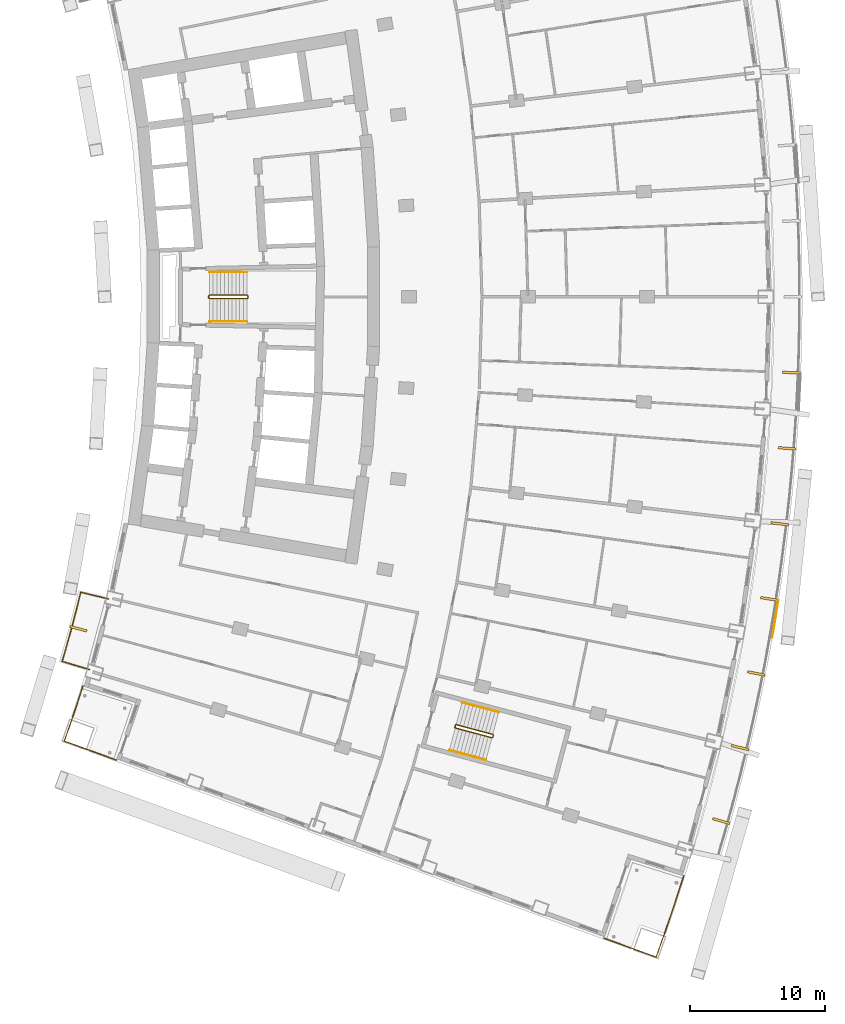
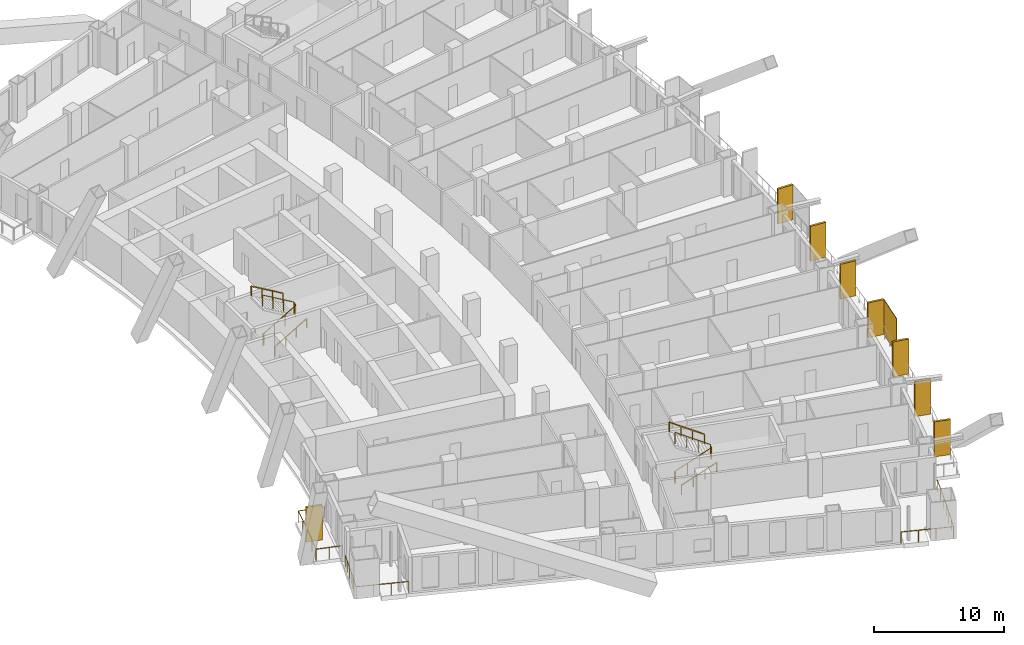
# One storey, part 23 of 25: 9 railings, 9 shading devices.
"""IFC4 building model written with IfcOpenShell, lengths in metres."""

from ifc_helpers import new_model, si_unit, direction, frame, origin, origin_with_axes, origin_2d, place, context, subcontext, project, spatial, rectangle, extrude, material, layer, layer_set, type_object, element, save


model = new_model("IFC4")

# Units and contexts
model_context = context("Model", 3, precision=1e-05, world=origin(), true_north=direction((0.0, 1.0)))
body_context = subcontext(model_context, "Body", "Model", "MODEL_VIEW")
ifc_project = project(units=[si_unit("LENGTHUNIT", "METRE"), si_unit("AREAUNIT", "SQUARE_METRE"), si_unit("VOLUMEUNIT", "CUBIC_METRE"), si_unit("PLANEANGLEUNIT", "RADIAN"), si_unit("MASSUNIT", "GRAM", prefix="KILO")], contexts=[model_context])

# Site, building, storey
site_placement = place(None, origin())
site = spatial("IfcSite", under=ifc_project, at=site_placement, CompositionType="ELEMENT")
building_placement = place(site_placement, origin())
building = spatial("IfcBuilding", under=site, at=building_placement, Name="Alderwake Tower", CompositionType="ELEMENT")
storey_placement = place(building_placement, frame((0.0, 0.0, 64.39990234375)))
storey = spatial("IfcBuildingStorey", under=building, at=storey_placement, Name="L15", CompositionType="ELEMENT", Elevation=64.39990234375)

# Railings
ifc_material_1 = material(Name="Stainless steel 316 rail and posts", Category="steel")
railing_type_1 = type_object("IfcRailingType", Name="Balcony guard 1100", PredefinedType="GUARDRAIL", material=ifc_material_1)
railing_1_placement = place(storey_placement, frame((12.16650390625, 33.435791015625, 0.0)))
element("IfcRailing", 1, at=railing_1_placement, inside=storey, type_object=railing_type_1, Name="Guard BR02", PredefinedType="GUARDRAIL", context=body_context, shape_type="SweptSolid", body=[
    extrude(rectangle(XDim=0.048095703125, YDim=0.048095703125, at=origin_2d()), frame((0.0, 0.0, 1.076171875), z_axis=(-0.958091458885, 0.286462486918, 0.0), x_axis=(-0.286462486918, -0.958091458885, 0.0)), (0.0, 0.0, 1.0), 2.099853515625),
    extrude(rectangle(XDim=0.048095703125, YDim=0.048095703125, at=origin_2d()), frame((-2.011962890625, 0.6015625, 1.076171875), z_axis=(0.279963157487, 0.960010744966, 0.0), x_axis=(-0.960010744966, 0.279963157487, 0.0)), (0.0, 0.0, 1.0), 1.272216796875),
    extrude(rectangle(XDim=0.048095703125, YDim=0.048095703125, at=origin_2d()), frame((-1.65576171875, 1.822998046875, 1.076171875), z_axis=(0.266487604617, 0.963838345671, 0.0), x_axis=(-0.963838345671, 0.266487604617, 0.0)), (0.0, 0.0, 1.0), 1.372314453125),
    extrude(rectangle(XDim=0.048095703125, YDim=0.048095703125, at=origin_2d()), frame((-1.2900390625, 3.145751953125, 1.076171875), z_axis=(0.252487086228, 0.967600264204, 0.0), x_axis=(-0.967600264204, 0.252487086228, 0.0)), (0.0, 0.0, 1.0), 1.3720703125),
    extrude(rectangle(XDim=0.048095703125, YDim=0.048095703125, at=origin_2d()), frame((-0.943603515625, 4.473388671875, 1.076171875), z_axis=(0.238877101641, 0.971049808358, 0.0), x_axis=(-0.971049808358, 0.238877101641, 0.0)), (0.0, 0.0, 1.0), 1.2724609375),
    extrude(rectangle(XDim=0.048095703125, YDim=0.048095703125, at=origin_2d()), frame((-0.6396484375, 5.708984375, 1.076171875), z_axis=(0.972646310656, -0.232291098337, 0.0), x_axis=(0.232291098337, 0.972646310656, 0.0)), (0.0, 0.0, 1.0), 2.099853515625),
    extrude(rectangle(XDim=0.0419921875, YDim=0.0419921875, at=origin_2d()), frame((0.0, 0.0, 0.0), z_axis=(0.0, 0.0, 1.0), x_axis=(-0.958091458885, 0.286462486918, 0.0)), (0.0, 0.0, 1.0), 1.052001953125),
    extrude(rectangle(XDim=0.0419921875, YDim=0.0419921875, at=origin_2d()), frame((-1.005859375, 0.30078125, 0.0), z_axis=(0.0, 0.0, 1.0), x_axis=(-0.958091458885, 0.286462486918, 0.0)), (0.0, 0.0, 1.0), 1.052001953125),
    extrude(rectangle(XDim=0.0419921875, YDim=0.0419921875, at=origin_2d()), frame((-2.011962890625, 0.6015625, 0.0), z_axis=(0.0, 0.0, 1.0), x_axis=(0.279963157487, 0.960010744966, 0.0)), (0.0, 0.0, 1.0), 1.052001953125),
    extrude(rectangle(XDim=0.0419921875, YDim=0.0419921875, at=origin_2d()), frame((-1.65576171875, 1.822998046875, 0.0), z_axis=(0.0, 0.0, 1.0), x_axis=(0.266487604617, 0.963838345671, 0.0)), (0.0, 0.0, 1.0), 1.052001953125),
    extrude(rectangle(XDim=0.0419921875, YDim=0.0419921875, at=origin_2d()), frame((-1.2900390625, 3.145751953125, 0.0), z_axis=(0.0, 0.0, 1.0), x_axis=(0.252487086228, 0.967600264204, 0.0)), (0.0, 0.0, 1.0), 1.052001953125),
    extrude(rectangle(XDim=0.0419921875, YDim=0.0419921875, at=origin_2d()), frame((-0.943603515625, 4.473388671875, 0.0), z_axis=(0.0, 0.0, 1.0), x_axis=(0.238877101641, 0.971049808358, 0.0)), (0.0, 0.0, 1.0), 1.052001953125),
    extrude(rectangle(XDim=0.0419921875, YDim=0.0419921875, at=origin_2d()), frame((-0.6396484375, 5.708984375, 0.0), z_axis=(0.0, 0.0, 1.0), x_axis=(0.972646310656, -0.232291098337, 0.0)), (0.0, 0.0, 1.0), 1.052001953125),
    extrude(rectangle(XDim=0.0419921875, YDim=0.0419921875, at=origin_2d()), frame((0.381591796875, 5.465087890625, 0.0), z_axis=(0.0, 0.0, 1.0), x_axis=(0.972646310656, -0.232291098337, 0.0)), (0.0, 0.0, 1.0), 1.052001953125),
    extrude(rectangle(XDim=0.0419921875, YDim=0.0419921875, at=origin_2d()), frame((1.40283203125, 5.22119140625, 0.0), z_axis=(0.0, 0.0, 1.0), x_axis=(0.972646310656, -0.232291098337, 0.0)), (0.0, 0.0, 1.0), 1.052001953125),
])
railing_2_placement = place(storey_placement, frame((56.12060546875, 18.168701171875, 0.0)))
element("IfcRailing", 2, at=railing_2_placement, inside=storey, type_object=railing_type_1, Name="Guard terrace FS", PredefinedType="GUARDRAIL", context=body_context, shape_type="SweptSolid", body=[
    extrude(rectangle(XDim=0.048095703125, YDim=0.048095703125, at=origin_2d()), frame((0.0, 0.0, 1.076171875), z_axis=(-0.307834534449, -0.951439908455, 0.0), x_axis=(0.951439908455, -0.307834534449, 0.0)), (0.0, 0.0, 1.0), 2.281005859375),
    extrude(rectangle(XDim=0.048095703125, YDim=0.048095703125, at=origin_2d()), frame((-0.7021484375, -2.170166015625, 1.076171875), z_axis=(-0.322274982341, -0.946646098475, 0.0), x_axis=(0.946646098475, -0.322274982341, 0.0)), (0.0, 0.0, 1.0), 2.0810546875),
    extrude(rectangle(XDim=0.048095703125, YDim=0.048095703125, at=origin_2d()), frame((-1.372802734375, -4.14013671875, 1.076171875), z_axis=(-0.335680571726, -0.941975877486, 0.0), x_axis=(0.941975877486, -0.335680571726, 0.0)), (0.0, 0.0, 1.0), 1.981201171875),
    extrude(rectangle(XDim=0.048095703125, YDim=0.048095703125, at=origin_2d()), frame((-2.037841796875, -6.00634765625, 1.076171875), z_axis=(-0.939605522223, 0.34225934992, 0.0), x_axis=(-0.34225934992, -0.939605522223, 0.0)), (0.0, 0.0, 1.0), 4.10009765625),
    extrude(rectangle(XDim=0.0419921875, YDim=0.0419921875, at=origin_2d()), frame((0.0, 0.0, 0.0), z_axis=(0.0, 0.0, 1.0), x_axis=(-0.307834534449, -0.951439908455, 0.0)), (0.0, 0.0, 1.0), 1.052001953125),
    extrude(rectangle(XDim=0.0419921875, YDim=0.0419921875, at=origin_2d()), frame((-0.35107421875, -1.0849609375, 0.0), z_axis=(0.0, 0.0, 1.0), x_axis=(-0.307834534449, -0.951439908455, 0.0)), (0.0, 0.0, 1.0), 1.052001953125),
    extrude(rectangle(XDim=0.0419921875, YDim=0.0419921875, at=origin_2d()), frame((-0.7021484375, -2.170166015625, 0.0), z_axis=(0.0, 0.0, 1.0), x_axis=(-0.322274982341, -0.946646098475, 0.0)), (0.0, 0.0, 1.0), 1.052001953125),
    extrude(rectangle(XDim=0.0419921875, YDim=0.0419921875, at=origin_2d()), frame((-1.03759765625, -3.1552734375, 0.0), z_axis=(0.0, 0.0, 1.0), x_axis=(-0.322274982341, -0.946646098475, 0.0)), (0.0, 0.0, 1.0), 1.052001953125),
    extrude(rectangle(XDim=0.0419921875, YDim=0.0419921875, at=origin_2d()), frame((-1.372802734375, -4.14013671875, 0.0), z_axis=(0.0, 0.0, 1.0), x_axis=(-0.335680571726, -0.941975877486, 0.0)), (0.0, 0.0, 1.0), 1.052001953125),
    extrude(rectangle(XDim=0.0419921875, YDim=0.0419921875, at=origin_2d()), frame((-1.705322265625, -5.0732421875, 0.0), z_axis=(0.0, 0.0, 1.0), x_axis=(-0.335680571726, -0.941975877486, 0.0)), (0.0, 0.0, 1.0), 1.052001953125),
    extrude(rectangle(XDim=0.0419921875, YDim=0.0419921875, at=origin_2d()), frame((-2.037841796875, -6.00634765625, 0.0), z_axis=(0.0, 0.0, 1.0), x_axis=(-0.939605522223, 0.34225934992, 0.0)), (0.0, 0.0, 1.0), 1.052001953125),
    extrude(rectangle(XDim=0.0419921875, YDim=0.0419921875, at=origin_2d()), frame((-3.322021484375, -5.53857421875, 0.0), z_axis=(0.0, 0.0, 1.0), x_axis=(-0.939605522223, 0.34225934992, 0.0)), (0.0, 0.0, 1.0), 1.052001953125),
    extrude(rectangle(XDim=0.0419921875, YDim=0.0419921875, at=origin_2d()), frame((-4.606201171875, -5.07080078125, 0.0), z_axis=(0.0, 0.0, 1.0), x_axis=(-0.939605522223, 0.34225934992, 0.0)), (0.0, 0.0, 1.0), 1.052001953125),
    extrude(rectangle(XDim=0.0419921875, YDim=0.0419921875, at=origin_2d()), frame((-5.890380859375, -4.60302734375, 0.0), z_axis=(0.0, 0.0, 1.0), x_axis=(-0.939605522223, 0.34225934992, 0.0)), (0.0, 0.0, 1.0), 1.052001953125),
])
railing_3_placement = place(storey_placement, frame((11.688720703125, 32.218017578125, 0.0)))
element("IfcRailing", 3, at=railing_3_placement, inside=storey, type_object=railing_type_1, Name="Guard terrace RS", PredefinedType="GUARDRAIL", context=body_context, shape_type="SweptSolid", body=[
    extrude(rectangle(XDim=0.048095703125, YDim=0.048095703125, at=origin_2d()), frame((0.0, 0.0, 1.076171875), z_axis=(-0.307479326145, -0.951554761426, 0.0), x_axis=(0.951554761426, -0.307479326145, 0.0)), (0.0, 0.0, 1.0), 1.6015625),
    extrude(rectangle(XDim=0.048095703125, YDim=0.048095703125, at=origin_2d()), frame((-0.492431640625, -1.52392578125, 1.076171875), z_axis=(-0.322283727344, -0.946643121292, 0.0), x_axis=(0.946643121292, -0.322283727344, 0.0)), (0.0, 0.0, 1.0), 1.4013671875),
    extrude(rectangle(XDim=0.048095703125, YDim=0.048095703125, at=origin_2d()), frame((-0.944091796875, -2.8505859375, 1.076171875), z_axis=(-0.335468607403, -0.942051385778, 0.0), x_axis=(0.942051385778, -0.335468607403, 0.0)), (0.0, 0.0, 1.0), 1.30126953125),
    extrude(rectangle(XDim=0.048095703125, YDim=0.048095703125, at=origin_2d()), frame((-1.380615234375, -4.076416015625, 1.076171875), z_axis=(0.939708203232, -0.341977327873, 0.0), x_axis=(0.341977327873, 0.939708203232, 0.0)), (0.0, 0.0, 1.0), 4.10009765625),
    extrude(rectangle(XDim=0.0419921875, YDim=0.0419921875, at=origin_2d()), frame((0.0, 0.0, 0.0), z_axis=(0.0, 0.0, 1.0), x_axis=(-0.307479326145, -0.951554761426, 0.0)), (0.0, 0.0, 1.0), 1.052001953125),
    extrude(rectangle(XDim=0.0419921875, YDim=0.0419921875, at=origin_2d()), frame((-0.24609375, -0.761962890625, 0.0), z_axis=(0.0, 0.0, 1.0), x_axis=(-0.307479326145, -0.951554761426, 0.0)), (0.0, 0.0, 1.0), 1.052001953125),
    extrude(rectangle(XDim=0.0419921875, YDim=0.0419921875, at=origin_2d()), frame((-0.492431640625, -1.52392578125, 0.0), z_axis=(0.0, 0.0, 1.0), x_axis=(-0.322283727344, -0.946643121292, 0.0)), (0.0, 0.0, 1.0), 1.052001953125),
    extrude(rectangle(XDim=0.0419921875, YDim=0.0419921875, at=origin_2d()), frame((-0.71826171875, -2.187255859375, 0.0), z_axis=(0.0, 0.0, 1.0), x_axis=(-0.322283727344, -0.946643121292, 0.0)), (0.0, 0.0, 1.0), 1.052001953125),
    extrude(rectangle(XDim=0.0419921875, YDim=0.0419921875, at=origin_2d()), frame((-0.944091796875, -2.8505859375, 0.0), z_axis=(0.0, 0.0, 1.0), x_axis=(-0.335468607403, -0.942051385778, 0.0)), (0.0, 0.0, 1.0), 1.052001953125),
    extrude(rectangle(XDim=0.0419921875, YDim=0.0419921875, at=origin_2d()), frame((-1.380615234375, -4.076416015625, 0.0), z_axis=(0.0, 0.0, 1.0), x_axis=(0.939708203232, -0.341977327873, 0.0)), (0.0, 0.0, 1.0), 1.052001953125),
    extrude(rectangle(XDim=0.0419921875, YDim=0.0419921875, at=origin_2d()), frame((-0.096435546875, -4.543701171875, 0.0), z_axis=(0.0, 0.0, 1.0), x_axis=(0.939708203232, -0.341977327873, 0.0)), (0.0, 0.0, 1.0), 1.052001953125),
    extrude(rectangle(XDim=0.0419921875, YDim=0.0419921875, at=origin_2d()), frame((1.18798828125, -5.01123046875, 0.0), z_axis=(0.0, 0.0, 1.0), x_axis=(0.939708203232, -0.341977327873, 0.0)), (0.0, 0.0, 1.0), 1.052001953125),
    extrude(rectangle(XDim=0.0419921875, YDim=0.0419921875, at=origin_2d()), frame((2.47216796875, -5.478515625, 0.0), z_axis=(0.0, 0.0, 1.0), x_axis=(0.939708203232, -0.341977327873, 0.0)), (0.0, 0.0, 1.0), 1.052001953125),
])

# Shading devices
ifc_material_2 = material(Name="Bronze anodised aluminium", Category="aluminium")
ifc_layer_1 = layer(ifc_material_2, 0.179931640625)
ifc_layer_set_1 = layer_set([ifc_layer_1], Name="Facade fin 1300")
shading_device_type_1 = type_object("IfcShadingDeviceType", Name="Facade fin 1300", PredefinedType="USERDEFINED", material=ifc_layer_set_1)
for number, where, z_axis, x_axis, name in (
    (4, (58.890869140625, 22.231689453125, 0.0), (0.0, 0.0, 1.0), (0.96318180783, -0.268850897459, 0.0), "Fin"),
    (5, (60.29345703125, 27.66259765625, 0.0), (0.0, 0.0, 1.0), (0.972908790564, -0.231189284448, 0.0), "Fin"),
    (6, (61.48388671875, 33.143798828125, 0.0), (0.0, 0.0, 1.0), (0.981163751315, -0.193177879441, 0.0), "Fin"),
    (7, (62.4580078125, 38.65283203125, 0.0), (0.0, 0.0, 1.0), (0.987918787879, -0.154972476771, 0.0), "Fin"),
    (8, (63.21923828125, 44.2099609375, 0.0), (0.0, 0.0, 1.0), (0.993198315083, -0.116434990084, 0.0), "Fin"),
    (9, (63.763916015625, 49.79248046875, 0.0), (0.0, 0.0, 1.0), (0.996975122026, -0.077721335943, 0.0), "Fin"),
    (10, (64.0908203125, 55.39208984375, 0.0), (0.0, 0.0, 1.0), (0.999243494356, -0.038890088543, 0.0), "Fin"),
    (11, (11.359375, 36.45166015625, 0.0), (0.0, 0.0, 1.0), (0.965744448231, -0.259495010957, 0.0), "Fin"),
):
    element("IfcShadingDevice", number, at=place(storey_placement, frame(where, z_axis=z_axis, x_axis=x_axis)), inside=storey, type_object=shading_device_type_1, Name=name, ObjectType="FIN", PredefinedType="USERDEFINED", context=body_context, shape_type="SweptSolid", body=[
        extrude(rectangle(XDim=1.300048828125, YDim=0.179931640625, at=origin_2d()), origin(), (0.0, 0.0, 1.0), 3.280029296875),
    ])
ifc_material_3 = material(Name="Perforated bronze anodised aluminium", Category="aluminium")
ifc_layer_2 = layer(ifc_material_3, 0.050048828125)
ifc_layer_set_2 = layer_set([ifc_layer_2], Name="Perforated screen panel")
shading_device_type_2 = type_object("IfcShadingDeviceType", Name="Perforated screen panel", PredefinedType="USERDEFINED", material=ifc_layer_set_2)
shading_device_placement = place(storey_placement, frame((62.8935546875, 37.162109375, 0.0), z_axis=(0.0, 0.0, 1.0), x_axis=(0.986369013299, -0.164548380739, 0.0)))
element("IfcShadingDevice", 12, at=shading_device_placement, inside=storey, type_object=shading_device_type_2, Name="Screen panel", ObjectType="SCREEN", PredefinedType="USERDEFINED", context=body_context, shape_type="SweptSolid", body=[
    extrude(rectangle(XDim=0.050048828125, YDim=2.810546875, at=origin_2d()), origin(), (0.0, 0.0, 1.0), 3.280029296875),
])

# Railings
ifc_material_4 = material(Name="Stainless steel guard", Category="steel")
railing_type_2 = type_object("IfcRailingType", Name="Stair guard 1100", PredefinedType="GUARDRAIL", material=ifc_material_4)
railing_4_placement = place(storey_placement, frame((20.989990234375, 60.925048828125, 0.0)))
element("IfcRailing", 13, at=railing_4_placement, inside=storey, type_object=railing_type_2, Name="L15 ST-B stair guard 1", PredefinedType="GUARDRAIL", context=body_context, shape_type="SweptSolid", body=[
    extrude(rectangle(XDim=0.048095703125, YDim=0.048095703125, at=origin_2d()), frame((0.0, 0.0, 1.076171875), z_axis=(0.0, 1.0, 0.0), x_axis=(-1.0, 0.0, 0.0)), (0.0, 0.0, 1.0), 0.14990234375),
    extrude(rectangle(XDim=0.048095703125, YDim=0.048095703125, at=origin_2d()), frame((0.0, 0.14990234375, 1.076171875), z_axis=(0.190089865108, -0.759432192796, 0.622196582865), x_axis=(0.970072785993, 0.242814311512, 0.0)), (0.0, 0.0, 1.0), 0.26318359375),
    extrude(rectangle(XDim=0.048095703125, YDim=0.048095703125, at=origin_2d()), frame((0.050048828125, -0.050048828125, 1.23974609375), z_axis=(0.863393664356, 0.0, 0.504530851732), x_axis=(0.0, 1.0, 0.0)), (0.0, 0.0, 1.0), 3.2431640625),
    extrude(rectangle(XDim=0.048095703125, YDim=0.048095703125, at=origin_2d()), frame((2.85009765625, -0.050048828125, 2.8759765625), z_axis=(0.705375805398, 0.708833529934, 0.0), x_axis=(-0.708833529934, 0.705375805398, 0.0)), (0.0, 0.0, 1.0), 0.070556640625),
    extrude(rectangle(XDim=0.048095703125, YDim=0.048095703125, at=origin_2d()), frame((2.89990234375, 0.0, 2.8759765625), z_axis=(0.0, 1.0, 0.0), x_axis=(-1.0, 0.0, 0.0)), (0.0, 0.0, 1.0), 0.14990234375),
    extrude(rectangle(XDim=0.048095703125, YDim=0.048095703125, at=origin_2d()), frame((2.89990234375, 0.14990234375, 2.8759765625), z_axis=(-0.279546231943, 0.280916556609, 0.91811752648), x_axis=(-0.708833529934, -0.705375805398, 0.0)), (0.0, 0.0, 1.0), 0.17822265625),
    extrude(rectangle(XDim=0.048095703125, YDim=0.048095703125, at=origin_2d()), frame((2.85009765625, 0.199951171875, 3.03955078125), z_axis=(-0.863360870873, 0.0, 0.504586966384), x_axis=(0.0, -1.0, 0.0)), (0.0, 0.0, 1.0), 3.2431640625),
    extrude(rectangle(XDim=0.0419921875, YDim=0.0419921875, at=origin_2d()), frame((0.0, 0.0, 0.0), z_axis=(0.0, 0.0, 1.0), x_axis=(0.0, 1.0, 0.0)), (0.0, 0.0, 1.0), 1.052001953125),
    extrude(rectangle(XDim=0.0419921875, YDim=0.0419921875, at=origin_2d()), frame((0.0, 0.14990234375, 0.0), z_axis=(0.0, 0.0, 1.0), x_axis=(0.242814311512, -0.970072785993, 0.0)), (0.0, 0.0, 1.0), 1.052001953125),
    extrude(rectangle(XDim=0.0419921875, YDim=0.0419921875, at=origin_2d()), frame((0.050048828125, -0.050048828125, 0.163818359375), z_axis=(0.0, 0.0, 1.0), x_axis=(1.0, 0.0, 0.0)), (0.0, 0.0, 1.0), 1.052001953125),
    extrude(rectangle(XDim=0.0419921875, YDim=0.0419921875, at=origin_2d()), frame((0.9833984375, -0.050048828125, 0.709228515625), z_axis=(0.0, 0.0, 1.0), x_axis=(1.0, 0.0, 0.0)), (0.0, 0.0, 1.0), 1.052001953125),
    extrude(rectangle(XDim=0.0419921875, YDim=0.0419921875, at=origin_2d()), frame((1.916748046875, -0.050048828125, 1.254638671875), z_axis=(0.0, 0.0, 1.0), x_axis=(1.0, 0.0, 0.0)), (0.0, 0.0, 1.0), 1.052001953125),
    extrude(rectangle(XDim=0.0419921875, YDim=0.0419921875, at=origin_2d()), frame((2.85009765625, -0.050048828125, 1.800048828125), z_axis=(0.0, 0.0, 1.0), x_axis=(0.705375805398, 0.708833529934, 0.0)), (0.0, 0.0, 1.0), 1.052001953125),
    extrude(rectangle(XDim=0.0419921875, YDim=0.0419921875, at=origin_2d()), frame((2.89990234375, 0.0, 1.800048828125), z_axis=(0.0, 0.0, 1.0), x_axis=(0.0, 1.0, 0.0)), (0.0, 0.0, 1.0), 1.052001953125),
    extrude(rectangle(XDim=0.0419921875, YDim=0.0419921875, at=origin_2d()), frame((2.89990234375, 0.14990234375, 1.800048828125), z_axis=(0.0, 0.0, 1.0), x_axis=(-0.705375805398, 0.708833529934, 0.0)), (0.0, 0.0, 1.0), 1.052001953125),
    extrude(rectangle(XDim=0.0419921875, YDim=0.0419921875, at=origin_2d()), frame((2.85009765625, 0.199951171875, 1.963623046875), z_axis=(0.0, 0.0, 1.0), x_axis=(-1.0, 0.0, 0.0)), (0.0, 0.0, 1.0), 1.052001953125),
    extrude(rectangle(XDim=0.0419921875, YDim=0.0419921875, at=origin_2d()), frame((1.916748046875, 0.199951171875, 2.509033203125), z_axis=(0.0, 0.0, 1.0), x_axis=(-1.0, 0.0, 0.0)), (0.0, 0.0, 1.0), 1.052001953125),
    extrude(rectangle(XDim=0.0419921875, YDim=0.0419921875, at=origin_2d()), frame((0.9833984375, 0.199951171875, 3.0546875), z_axis=(0.0, 0.0, 1.0), x_axis=(-1.0, 0.0, 0.0)), (0.0, 0.0, 1.0), 1.052001953125),
    extrude(rectangle(XDim=0.0419921875, YDim=0.0419921875, at=origin_2d()), frame((0.050048828125, 0.199951171875, 3.60009765625), z_axis=(0.0, 0.0, 1.0), x_axis=(-1.0, 0.0, 0.0)), (0.0, 0.0, 1.0), 1.052001953125),
])
railing_5_placement = place(storey_placement, frame((39.1943359375, 29.17431640625, 0.0)))
element("IfcRailing", 14, at=railing_5_placement, inside=storey, type_object=railing_type_2, Name="L15 ST-C stair guard 1", PredefinedType="GUARDRAIL", context=body_context, shape_type="SweptSolid", body=[
    extrude(rectangle(XDim=0.048095703125, YDim=0.048095703125, at=origin_2d()), frame((0.0, 0.0, 1.076171875), z_axis=(0.257459803502, 0.966289009345, 0.0), x_axis=(-0.966289009345, 0.257459803502, 0.0)), (0.0, 0.0, 1.0), 0.14990234375),
    extrude(rectangle(XDim=0.048095703125, YDim=0.048095703125, at=origin_2d()), frame((0.03857421875, 0.144775390625, 1.076171875), z_axis=(-0.012055935761, -0.782708444821, 0.622271761226), x_axis=(0.999881397308, -0.015401016783, 0.0)), (0.0, 0.0, 1.0), 0.26318359375),
    extrude(rectangle(XDim=0.048095703125, YDim=0.048095703125, at=origin_2d()), frame((0.035400390625, -0.061279296875, 1.23974609375), z_axis=(0.834313512087, -0.222222637163, 0.504517653885), x_axis=(0.257380452725, 0.966310148221, 0.0)), (0.0, 0.0, 1.0), 3.2431640625),
    extrude(rectangle(XDim=0.048095703125, YDim=0.048095703125, at=origin_2d()), frame((2.7412109375, -0.781982421875, 2.8759765625), z_axis=(0.865031189262, 0.501718089772, 0.0), x_axis=(-0.501718089772, 0.865031189262, 0.0)), (0.0, 0.0, 1.0), 0.070556640625),
    extrude(rectangle(XDim=0.048095703125, YDim=0.048095703125, at=origin_2d()), frame((2.80224609375, -0.74658203125, 2.8759765625), z_axis=(0.257055032184, 0.966396766566, 0.0), x_axis=(-0.966396766566, 0.257055032184, 0.0)), (0.0, 0.0, 1.0), 0.150146484375),
    extrude(rectangle(XDim=0.048095703125, YDim=0.048095703125, at=origin_2d()), frame((2.8408203125, -0.6015625, 2.8759765625), z_axis=(-0.198625291617, 0.343827228937, 0.91778583023), x_axis=(-0.865898279276, -0.500220121494, 0.0)), (0.0, 0.0, 1.0), 0.17822265625),
    extrude(rectangle(XDim=0.048095703125, YDim=0.048095703125, at=origin_2d()), frame((2.805419921875, -0.540283203125, 3.03955078125), z_axis=(-0.834258940753, 0.22222815314, 0.504605457487), x_axis=(-0.257402139082, -0.966304371715, 0.0)), (0.0, 0.0, 1.0), 3.2431640625),
    extrude(rectangle(XDim=0.0419921875, YDim=0.0419921875, at=origin_2d()), frame((0.0, 0.0, 0.0), z_axis=(0.0, 0.0, 1.0), x_axis=(0.257459803502, 0.966289009345, 0.0)), (0.0, 0.0, 1.0), 1.052001953125),
    extrude(rectangle(XDim=0.0419921875, YDim=0.0419921875, at=origin_2d()), frame((0.03857421875, 0.144775390625, 0.0), z_axis=(0.0, 0.0, 1.0), x_axis=(-0.015401016783, -0.999881397308, 0.0)), (0.0, 0.0, 1.0), 1.052001953125),
    extrude(rectangle(XDim=0.0419921875, YDim=0.0419921875, at=origin_2d()), frame((0.035400390625, -0.061279296875, 0.163818359375), z_axis=(0.0, 0.0, 1.0), x_axis=(0.966310148221, -0.257380452725, 0.0)), (0.0, 0.0, 1.0), 1.052001953125),
    extrude(rectangle(XDim=0.0419921875, YDim=0.0419921875, at=origin_2d()), frame((0.937255859375, -0.301513671875, 0.709228515625), z_axis=(0.0, 0.0, 1.0), x_axis=(0.966310148221, -0.257380452725, 0.0)), (0.0, 0.0, 1.0), 1.052001953125),
    extrude(rectangle(XDim=0.0419921875, YDim=0.0419921875, at=origin_2d()), frame((1.83935546875, -0.541748046875, 1.254638671875), z_axis=(0.0, 0.0, 1.0), x_axis=(0.966310148221, -0.257380452725, 0.0)), (0.0, 0.0, 1.0), 1.052001953125),
    extrude(rectangle(XDim=0.0419921875, YDim=0.0419921875, at=origin_2d()), frame((2.7412109375, -0.781982421875, 1.800048828125), z_axis=(0.0, 0.0, 1.0), x_axis=(0.865031189262, 0.501718089772, 0.0)), (0.0, 0.0, 1.0), 1.052001953125),
    extrude(rectangle(XDim=0.0419921875, YDim=0.0419921875, at=origin_2d()), frame((2.80224609375, -0.74658203125, 1.800048828125), z_axis=(0.0, 0.0, 1.0), x_axis=(0.257055032184, 0.966396766566, 0.0)), (0.0, 0.0, 1.0), 1.052001953125),
    extrude(rectangle(XDim=0.0419921875, YDim=0.0419921875, at=origin_2d()), frame((2.8408203125, -0.6015625, 1.800048828125), z_axis=(0.0, 0.0, 1.0), x_axis=(-0.500220121494, 0.865898279276, 0.0)), (0.0, 0.0, 1.0), 1.052001953125),
    extrude(rectangle(XDim=0.0419921875, YDim=0.0419921875, at=origin_2d()), frame((2.805419921875, -0.540283203125, 1.963623046875), z_axis=(0.0, 0.0, 1.0), x_axis=(-0.966304371715, 0.257402139082, 0.0)), (0.0, 0.0, 1.0), 1.052001953125),
    extrude(rectangle(XDim=0.0419921875, YDim=0.0419921875, at=origin_2d()), frame((1.903564453125, -0.300048828125, 2.509033203125), z_axis=(0.0, 0.0, 1.0), x_axis=(-0.966304371715, 0.257402139082, 0.0)), (0.0, 0.0, 1.0), 1.052001953125),
    extrude(rectangle(XDim=0.0419921875, YDim=0.0419921875, at=origin_2d()), frame((1.001708984375, -0.059814453125, 3.0546875), z_axis=(0.0, 0.0, 1.0), x_axis=(-0.966304371715, 0.257402139082, 0.0)), (0.0, 0.0, 1.0), 1.052001953125),
    extrude(rectangle(XDim=0.0419921875, YDim=0.0419921875, at=origin_2d()), frame((0.099853515625, 0.180419921875, 3.60009765625), z_axis=(0.0, 0.0, 1.0), x_axis=(-0.966304371715, 0.257402139082, 0.0)), (0.0, 0.0, 1.0), 1.052001953125),
])
ifc_material_5 = material(Name="Stainless steel handrail", Category="steel")
railing_type_3 = type_object("IfcRailingType", Name="Stair handrail 900", PredefinedType="HANDRAIL", material=ifc_material_5)
railing_6_placement = place(storey_placement, frame((21.0400390625, 59.175048828125, 0.163818359375)))
element("IfcRailing", 15, at=railing_6_placement, inside=storey, type_object=railing_type_3, Name="L15 ST-B stair handrail 1", PredefinedType="HANDRAIL", context=body_context, shape_type="SweptSolid", body=[
    extrude(rectangle(XDim=0.048095703125, YDim=0.048095703125, at=origin_2d()), frame((0.0, 0.0, 0.8759765625), z_axis=(0.863393664356, 0.0, 0.504530851732), x_axis=(0.0, 1.0, 0.0)), (0.0, 0.0, 1.0), 3.2431640625),
    extrude(rectangle(XDim=0.0419921875, YDim=0.0419921875, at=origin_2d()), origin_with_axes(), (0.0, 0.0, 1.0), 0.851806640625),
    extrude(rectangle(XDim=0.0419921875, YDim=0.0419921875, at=origin_2d()), frame((0.933349609375, 0.0, 0.54541015625), z_axis=(0.0, 0.0, 1.0), x_axis=(1.0, 0.0, 0.0)), (0.0, 0.0, 1.0), 0.851806640625),
    extrude(rectangle(XDim=0.0419921875, YDim=0.0419921875, at=origin_2d()), frame((1.86669921875, 0.0, 1.0908203125), z_axis=(0.0, 0.0, 1.0), x_axis=(1.0, 0.0, 0.0)), (0.0, 0.0, 1.0), 0.851806640625),
    extrude(rectangle(XDim=0.0419921875, YDim=0.0419921875, at=origin_2d()), frame((2.800048828125, 0.0, 1.63623046875), z_axis=(0.0, 0.0, 1.0), x_axis=(1.0, 0.0, 0.0)), (0.0, 0.0, 1.0), 0.851806640625),
])
railing_7_placement = place(storey_placement, frame((23.840087890625, 62.824951171875, 1.963623046875)))
element("IfcRailing", 16, at=railing_7_placement, inside=storey, type_object=railing_type_3, Name="L15 ST-B stair handrail 2", PredefinedType="HANDRAIL", context=body_context, shape_type="SweptSolid", body=[
    extrude(rectangle(XDim=0.048095703125, YDim=0.048095703125, at=origin_2d()), frame((0.0, 0.0, 0.8759765625), z_axis=(-0.863360870873, 0.0, 0.504586966384), x_axis=(0.0, -1.0, 0.0)), (0.0, 0.0, 1.0), 3.2431640625),
    extrude(rectangle(XDim=0.0419921875, YDim=0.0419921875, at=origin_2d()), frame((0.0, 0.0, 0.0), z_axis=(0.0, 0.0, 1.0), x_axis=(-1.0, 0.0, 0.0)), (0.0, 0.0, 1.0), 0.851806640625),
    extrude(rectangle(XDim=0.0419921875, YDim=0.0419921875, at=origin_2d()), frame((-0.933349609375, 0.0, 0.54541015625), z_axis=(0.0, 0.0, 1.0), x_axis=(-1.0, 0.0, 0.0)), (0.0, 0.0, 1.0), 0.851806640625),
    extrude(rectangle(XDim=0.0419921875, YDim=0.0419921875, at=origin_2d()), frame((-1.86669921875, 0.0, 1.091064453125), z_axis=(0.0, 0.0, 1.0), x_axis=(-1.0, 0.0, 0.0)), (0.0, 0.0, 1.0), 0.851806640625),
    extrude(rectangle(XDim=0.0419921875, YDim=0.0419921875, at=origin_2d()), frame((-2.800048828125, 0.0, 1.636474609375), z_axis=(0.0, 0.0, 1.0), x_axis=(-1.0, 0.0, 0.0)), (0.0, 0.0, 1.0), 0.851806640625),
])
railing_8_placement = place(storey_placement, frame((38.792236328125, 27.47021484375, 0.163818359375)))
element("IfcRailing", 17, at=railing_8_placement, inside=storey, type_object=railing_type_3, Name="L15 ST-C stair handrail 1", PredefinedType="HANDRAIL", context=body_context, shape_type="SweptSolid", body=[
    extrude(rectangle(XDim=0.048095703125, YDim=0.048095703125, at=origin_2d()), frame((0.0, 0.0, 0.8759765625), z_axis=(0.834304587439, -0.222165027751, 0.504557782442), x_axis=(0.25732071773, 0.966326056891, 0.0)), (0.0, 0.0, 1.0), 3.242919921875),
    extrude(rectangle(XDim=0.0419921875, YDim=0.0419921875, at=origin_2d()), frame((0.0, 0.0, 0.0), z_axis=(0.0, 0.0, 1.0), x_axis=(0.966326056891, -0.25732071773, 0.0)), (0.0, 0.0, 1.0), 0.851806640625),
    extrude(rectangle(XDim=0.0419921875, YDim=0.0419921875, at=origin_2d()), frame((0.90185546875, -0.240234375, 0.54541015625), z_axis=(0.0, 0.0, 1.0), x_axis=(0.966326056891, -0.25732071773, 0.0)), (0.0, 0.0, 1.0), 0.851806640625),
    extrude(rectangle(XDim=0.0419921875, YDim=0.0419921875, at=origin_2d()), frame((1.8037109375, -0.480224609375, 1.0908203125), z_axis=(0.0, 0.0, 1.0), x_axis=(0.966326056891, -0.25732071773, 0.0)), (0.0, 0.0, 1.0), 0.851806640625),
    extrude(rectangle(XDim=0.0419921875, YDim=0.0419921875, at=origin_2d()), frame((2.70556640625, -0.720458984375, 1.63623046875), z_axis=(0.0, 0.0, 1.0), x_axis=(0.966326056891, -0.25732071773, 0.0)), (0.0, 0.0, 1.0), 0.851806640625),
])
railing_9_placement = place(storey_placement, frame((42.437255859375, 30.276611328125, 1.963623046875)))
element("IfcRailing", 18, at=railing_9_placement, inside=storey, type_object=railing_type_3, Name="L15 ST-C stair handrail 2", PredefinedType="HANDRAIL", context=body_context, shape_type="SweptSolid", body=[
    extrude(rectangle(XDim=0.048095703125, YDim=0.048095703125, at=origin_2d()), frame((0.0, 0.0, 0.8759765625), z_axis=(-0.834258940753, 0.22222815314, 0.504605457487), x_axis=(-0.257402139082, -0.966304371715, 0.0)), (0.0, 0.0, 1.0), 3.2431640625),
    extrude(rectangle(XDim=0.0419921875, YDim=0.0419921875, at=origin_2d()), frame((0.0, 0.0, 0.0), z_axis=(0.0, 0.0, 1.0), x_axis=(-0.966304371715, 0.257402139082, 0.0)), (0.0, 0.0, 1.0), 0.851806640625),
    extrude(rectangle(XDim=0.0419921875, YDim=0.0419921875, at=origin_2d()), frame((-0.90185546875, 0.240234375, 0.54541015625), z_axis=(0.0, 0.0, 1.0), x_axis=(-0.966304371715, 0.257402139082, 0.0)), (0.0, 0.0, 1.0), 0.851806640625),
    extrude(rectangle(XDim=0.0419921875, YDim=0.0419921875, at=origin_2d()), frame((-1.8037109375, 0.48046875, 1.091064453125), z_axis=(0.0, 0.0, 1.0), x_axis=(-0.966304371715, 0.257402139082, 0.0)), (0.0, 0.0, 1.0), 0.851806640625),
    extrude(rectangle(XDim=0.0419921875, YDim=0.0419921875, at=origin_2d()), frame((-2.70556640625, 0.720703125, 1.636474609375), z_axis=(0.0, 0.0, 1.0), x_axis=(-0.966304371715, 0.257402139082, 0.0)), (0.0, 0.0, 1.0), 0.851806640625),
])

save(model, "model.ifc")
